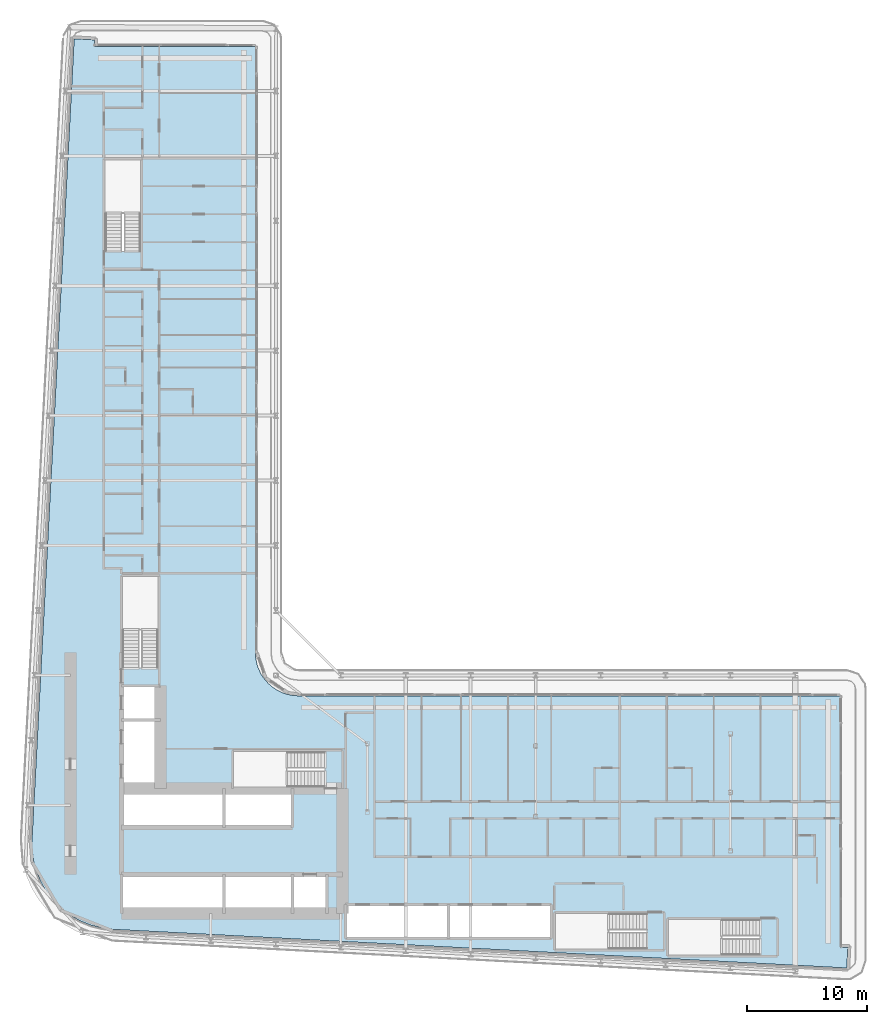
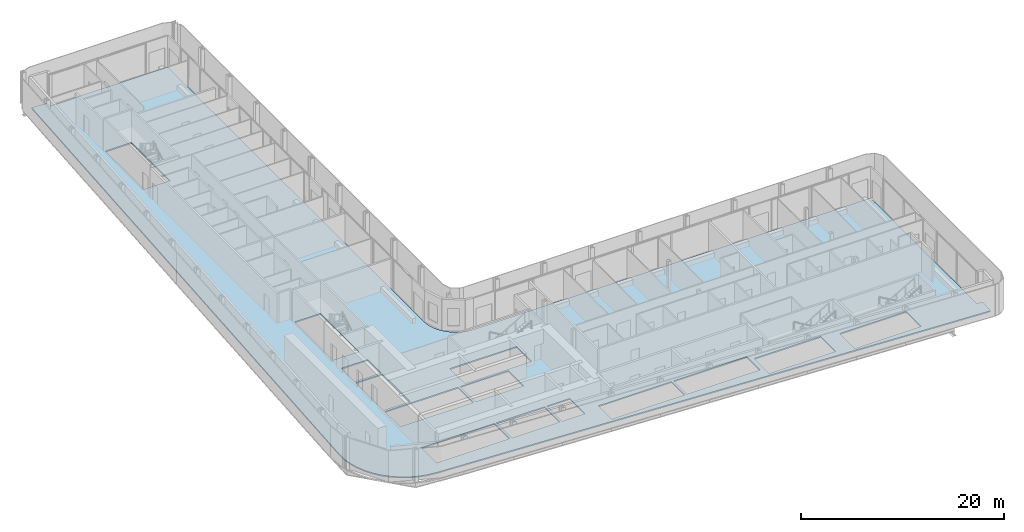
# One storey, part 11 of 27: 1 slab.
"""IFC4 building model written with IfcOpenShell, lengths in metres."""

from ifc_helpers import new_model, si_unit, direction, frame, origin, place, context, subcontext, project, spatial, polyline, outline, extrude, material, layer, layer_set, type_object, element, save


model = new_model("IFC4")

# Units and contexts
model_context = context("Model", 3, precision=1e-05, world=origin(), true_north=direction((0.0, 1.0)))
body_context = subcontext(model_context, "Body", "Model", "MODEL_VIEW")
ifc_project = project(units=[si_unit("LENGTHUNIT", "METRE"), si_unit("AREAUNIT", "SQUARE_METRE"), si_unit("VOLUMEUNIT", "CUBIC_METRE"), si_unit("PLANEANGLEUNIT", "RADIAN"), si_unit("MASSUNIT", "GRAM", prefix="KILO")], contexts=[model_context])

# Site, building, storey
site_placement = place(None, origin())
site = spatial("IfcSite", under=ifc_project, at=site_placement, CompositionType="ELEMENT")
building_placement = place(site_placement, origin())
building = spatial("IfcBuilding", under=site, at=building_placement, Name="Kheshtan School and Residences Tower", CompositionType="ELEMENT")
storey_placement = place(building_placement, frame((0.0, 0.0, 46.10009765625)))
storey = spatial("IfcBuildingStorey", under=building, at=storey_placement, Name="L10", CompositionType="ELEMENT", Elevation=46.10009765625)

# Slab
ifc_material = material(Name="Concrete C40/50", Category="concrete")
ifc_layer = layer(ifc_material, 0.14990234375)
ifc_layer_set = layer_set([ifc_layer], Name="Floor slab 150 Concrete C40/50")
slab_type = type_object("IfcSlabType", Name="Floor slab 150 Concrete C40/50", PredefinedType="FLOOR", material=ifc_layer_set)
slab_placement = place(storey_placement, frame((0.0, 0.0, -0.150146484375)))
element("IfcSlab", 1, at=slab_placement, inside=storey, type_object=slab_type, Name="Floor slab L10", PredefinedType="FLOOR", context=body_context, shape_type="SweptSolid", body=[
    extrude(outline(polyline([(27.718017578125, 29.200927734375), (27.466064453125, 30.093017578125), (27.466064453125, 30.093994140625), (27.3330078125, 31.013916015625), (27.320068359375, 31.965087890625), (27.320068359375, 31.970947265625), (30.822021484375, 98.5009765625), (30.822998046875, 98.508056640625), (30.825927734375, 98.531005859375), (30.825927734375, 98.531982421875), (30.826904296875, 98.531982421875), (31.422119140625, 98.5), (31.423095703125, 98.5), (31.423095703125, 98.4990234375), (31.423095703125, 98.4951171875), (31.423095703125, 98.493896484375), (31.424072265625, 98.493896484375), (31.424072265625, 98.492919921875), (31.425048828125, 98.492919921875), (31.426025390625, 98.492919921875), (31.426025390625, 98.493896484375), (31.427978515625, 98.49609375), (31.428955078125, 98.4970703125), (31.429931640625, 98.498046875), (31.430908203125, 98.498046875), (31.430908203125, 98.4990234375), (31.431884765625, 98.4990234375), (31.431884765625, 98.5), (31.43505859375, 98.5009765625), (31.43603515625, 98.501953125), (31.43896484375, 98.501953125), (31.43994140625, 98.501953125), (31.43994140625, 98.5029296875), (31.44091796875, 98.5029296875), (31.446044921875, 98.5029296875), (32.5009765625, 98.447021484375), (32.50390625, 98.447021484375), (32.5048828125, 98.447021484375), (32.5048828125, 98.446044921875), (32.506103515625, 98.446044921875), (32.510009765625, 98.446044921875), (32.510009765625, 98.445068359375), (32.510986328125, 98.445068359375), (32.510986328125, 98.444091796875), (32.511962890625, 98.444091796875), (32.511962890625, 98.443115234375), (32.512939453125, 98.443115234375), (32.513916015625, 98.443115234375), (32.513916015625, 98.44189453125), (32.514892578125, 98.44189453125), (32.51611328125, 98.44189453125), (32.51904296875, 98.43896484375), (32.51904296875, 98.43798828125), (32.51904296875, 98.43701171875), (32.52001953125, 98.43701171875), (32.52001953125, 98.43603515625), (32.52099609375, 98.43603515625), (32.52099609375, 98.43408203125), (32.52099609375, 98.43310546875), (32.52197265625, 98.43310546875), (32.52197265625, 98.431884765625), (32.52294921875, 98.431884765625), (32.52294921875, 98.430908203125), (32.52294921875, 98.428955078125), (32.52294921875, 98.427978515625), (32.52392578125, 98.427978515625), (32.52392578125, 98.427001953125), (32.52392578125, 98.422119140625), (32.4970703125, 97.9208984375), (32.4970703125, 97.91796875), (32.4970703125, 97.9169921875), (32.49609375, 97.9169921875), (32.49609375, 97.916015625), (32.49609375, 97.912109375), (32.4951171875, 97.910888671875), (32.4951171875, 97.909912109375), (32.493896484375, 97.909912109375), (32.493896484375, 97.908935546875), (32.492919921875, 97.908935546875), (32.492919921875, 97.907958984375), (32.489013671875, 97.904052734375), (32.488037109375, 97.904052734375), (32.488037109375, 97.903076171875), (32.488037109375, 97.902099609375), (32.488037109375, 97.90087890625), (32.489013671875, 97.90087890625), (32.489013671875, 97.89990234375), (32.489990234375, 97.89990234375), (45.85498046875, 97.89990234375), (45.864990234375, 97.89794921875), (45.865966796875, 97.89794921875), (45.868896484375, 97.89599609375), (45.8740234375, 97.89404296875), (45.8779296875, 97.89208984375), (45.881103515625, 97.889892578125), (45.881103515625, 97.888916015625), (45.882080078125, 97.888916015625), (45.882080078125, 97.887939453125), (45.883056640625, 97.887939453125), (45.884033203125, 97.885009765625), (45.885009765625, 97.885009765625), (45.885009765625, 97.884033203125), (45.887939453125, 97.883056640625), (45.887939453125, 97.882080078125), (45.888916015625, 97.882080078125), (45.888916015625, 97.881103515625), (45.889892578125, 97.881103515625), (45.89208984375, 97.8779296875), (45.89404296875, 97.8740234375), (45.89599609375, 97.868896484375), (45.89794921875, 97.865966796875), (45.89794921875, 97.864990234375), (45.89990234375, 97.85498046875), (45.89990234375, 47.429931640625), (45.927001953125, 47.030029296875), (46.01806640625, 46.570068359375), (46.01806640625, 46.569091796875), (46.169921875, 46.1201171875), (46.37890625, 45.697021484375), (46.638916015625, 45.30810546875), (46.949951171875, 44.950927734375), (46.950927734375, 44.949951171875), (47.30810546875, 44.638916015625), (47.697021484375, 44.37890625), (48.1201171875, 44.169921875), (48.569091796875, 44.01806640625), (48.570068359375, 44.01806640625), (49.030029296875, 43.927001953125), (49.429931640625, 43.89990234375), (94.455078125, 43.89990234375), (94.4599609375, 43.89892578125), (94.465087890625, 43.89794921875), (94.466064453125, 43.89794921875), (94.468994140625, 43.89599609375), (94.47412109375, 43.89404296875), (94.47802734375, 43.89208984375), (94.48095703125, 43.889892578125), (94.48095703125, 43.888916015625), (94.48193359375, 43.888916015625), (94.48193359375, 43.887939453125), (94.48291015625, 43.887939453125), (94.48388671875, 43.885009765625), (94.485107421875, 43.885009765625), (94.485107421875, 43.884033203125), (94.488037109375, 43.883056640625), (94.488037109375, 43.882080078125), (94.489013671875, 43.882080078125), (94.489013671875, 43.881103515625), (94.489990234375, 43.881103515625), (94.491943359375, 43.8779296875), (94.493896484375, 43.8740234375), (94.49609375, 43.868896484375), (94.498046875, 43.865966796875), (94.498046875, 43.864990234375), (94.4990234375, 43.860107421875), (94.5, 43.85498046875), (94.5, 22.992919921875), (94.5, 22.991943359375), (94.5009765625, 22.991943359375), (94.5009765625, 22.990966796875), (94.501953125, 22.990966796875), (94.5029296875, 22.990966796875), (94.5029296875, 22.991943359375), (94.5048828125, 22.993896484375), (94.506103515625, 22.9951171875), (94.507080078125, 22.99609375), (94.508056640625, 22.99609375), (94.508056640625, 22.9970703125), (94.509033203125, 22.9970703125), (94.509033203125, 22.998046875), (94.511962890625, 22.9990234375), (94.512939453125, 23.0), (94.51611328125, 23.0), (94.51708984375, 23.0), (94.51708984375, 23.0009765625), (94.51806640625, 23.0009765625), (94.52294921875, 23.0009765625), (95.137939453125, 22.968017578125), (95.14111328125, 22.968017578125), (95.14208984375, 22.968017578125), (95.14208984375, 22.967041015625), (95.14306640625, 22.967041015625), (95.14697265625, 22.967041015625), (95.14697265625, 22.966064453125), (95.14794921875, 22.966064453125), (95.14794921875, 22.965087890625), (95.14892578125, 22.965087890625), (95.14892578125, 22.964111328125), (95.14990234375, 22.964111328125), (95.15087890625, 22.964111328125), (95.15087890625, 22.962890625), (95.152099609375, 22.962890625), (95.153076171875, 22.962890625), (95.153076171875, 22.9619140625), (95.155029296875, 22.9599609375), (95.156005859375, 22.9599609375), (95.156005859375, 22.958984375), (95.156005859375, 22.9580078125), (95.156982421875, 22.9580078125), (95.156982421875, 22.95703125), (95.157958984375, 22.95703125), (95.157958984375, 22.955078125), (95.157958984375, 22.9541015625), (95.158935546875, 22.9541015625), (95.158935546875, 22.952880859375), (95.159912109375, 22.952880859375), (95.159912109375, 22.951904296875), (95.159912109375, 22.949951171875), (95.159912109375, 22.948974609375), (95.160888671875, 22.948974609375), (95.160888671875, 22.947998046875), (95.160888671875, 22.943115234375), (95.10498046875, 21.885986328125), (95.10498046875, 21.883056640625), (95.10498046875, 21.882080078125), (95.10400390625, 21.882080078125), (95.10400390625, 21.881103515625), (95.10400390625, 21.876953125), (95.10302734375, 21.8759765625), (95.10302734375, 21.875), (95.10205078125, 21.875), (95.10205078125, 21.8740234375), (95.10107421875, 21.8740234375), (95.10107421875, 21.873046875), (95.10009765625, 21.8720703125), (95.097900390625, 21.8701171875), (95.096923828125, 21.868896484375), (95.095947265625, 21.868896484375), (95.095947265625, 21.867919921875), (95.095947265625, 21.866943359375), (95.095947265625, 21.865966796875), (95.096923828125, 21.865966796875), (95.096923828125, 21.864990234375), (95.097900390625, 21.864990234375), (95.09912109375, 21.864990234375), (95.10009765625, 21.864990234375), (95.10009765625, 21.864013671875), (95.068115234375, 21.26904296875), (95.068115234375, 21.26806640625), (95.06689453125, 21.26806640625), (95.04296875, 21.26708984375), (95.0380859375, 21.26708984375), (34.056884765625, 24.47802734375), (33.114990234375, 24.590087890625), (32.215087890625, 24.819091796875), (32.214111328125, 24.819091796875), (31.35205078125, 25.1630859375), (30.541015625, 25.616943359375), (29.799072265625, 26.1708984375), (29.799072265625, 26.172119140625), (29.798095703125, 26.172119140625), (29.134033203125, 26.820068359375), (29.134033203125, 26.821044921875), (29.133056640625, 26.821044921875), (28.55908203125, 27.550048828125), (28.0849609375, 28.345947265625), (27.718017578125, 29.200927734375)]), holes=[polyline([(94.5, 21.87109375), (94.5, 21.866943359375), (94.5, 21.865966796875), (94.5009765625, 21.865966796875), (94.5009765625, 21.864990234375), (94.501953125, 21.864990234375), (94.506103515625, 21.864990234375), (94.507080078125, 21.864990234375), (94.507080078125, 21.865966796875), (94.508056640625, 21.865966796875), (94.508056640625, 21.866943359375), (94.508056640625, 21.867919921875), (94.507080078125, 21.867919921875), (94.506103515625, 21.868896484375), (94.5048828125, 21.8701171875), (94.50390625, 21.87109375), (94.5029296875, 21.8720703125), (94.5029296875, 21.873046875), (94.501953125, 21.873046875), (94.5009765625, 21.873046875), (94.5009765625, 21.8720703125), (94.5, 21.8720703125), (94.5, 21.87109375)]), polyline([(31.423095703125, 97.906005859375), (31.423095703125, 97.902099609375), (31.423095703125, 97.90087890625), (31.424072265625, 97.90087890625), (31.424072265625, 97.89990234375), (31.425048828125, 97.89990234375), (31.428955078125, 97.89990234375), (31.429931640625, 97.89990234375), (31.429931640625, 97.90087890625), (31.430908203125, 97.90087890625), (31.430908203125, 97.902099609375), (31.430908203125, 97.903076171875), (31.429931640625, 97.903076171875), (31.428955078125, 97.904052734375), (31.427978515625, 97.905029296875), (31.427001953125, 97.906005859375), (31.426025390625, 97.906982421875), (31.426025390625, 97.907958984375), (31.425048828125, 97.907958984375), (31.424072265625, 97.907958984375), (31.424072265625, 97.906982421875), (31.423095703125, 97.906982421875), (31.423095703125, 97.906005859375)]), polyline([(34.875, 28.925048828125), (34.875, 25.925048828125), (43.175048828125, 25.925048828125), (43.175048828125, 28.925048828125), (34.875, 28.925048828125)]), polyline([(43.425048828125, 25.925048828125), (48.875, 25.925048828125), (48.875, 28.925048828125), (43.425048828125, 28.925048828125), (43.425048828125, 25.925048828125)]), polyline([(43.175048828125, 36.074951171875), (34.875, 36.074951171875), (34.875, 33.074951171875), (43.175048828125, 33.074951171875), (43.175048828125, 36.074951171875)]), polyline([(34.875, 41.77490234375), (34.875, 36.324951171875), (37.875, 36.324951171875), (37.875, 41.77490234375), (34.875, 41.77490234375)]), polyline([(34.875, 44.625), (34.875, 42.02490234375), (37.875, 42.02490234375), (37.875, 44.625), (34.875, 44.625)]), polyline([(37.800048828125, 46.25), (37.800048828125, 53.81005859375), (34.85009765625, 53.81005859375), (34.85009765625, 46.260009765625), (36.25, 46.260009765625), (36.25, 46.25), (37.800048828125, 46.25)]), polyline([(33.39990234375, 88.4599609375), (33.39990234375, 80.909912109375), (34.800048828125, 80.909912109375), (34.800048828125, 80.89990234375), (36.35009765625, 80.89990234375), (36.35009765625, 88.4599609375), (33.39990234375, 88.4599609375)]), polyline([(87.81005859375, 22.35009765625), (87.81005859375, 23.75), (87.820068359375, 23.75), (87.820068359375, 25.300048828125), (80.260009765625, 25.300048828125), (80.260009765625, 22.35009765625), (87.81005859375, 22.35009765625)]), polyline([(70.85009765625, 22.85009765625), (78.39990234375, 22.85009765625), (78.39990234375, 24.25), (78.409912109375, 24.25), (78.409912109375, 25.800048828125), (70.85009765625, 25.800048828125), (70.85009765625, 22.85009765625)]), polyline([(61.824951171875, 26.425048828125), (53.52490234375, 26.425048828125), (53.52490234375, 23.824951171875), (61.824951171875, 23.824951171875), (61.824951171875, 26.425048828125)]), polyline([(62.074951171875, 23.824951171875), (70.375, 23.824951171875), (70.375, 26.425048828125), (62.074951171875, 26.425048828125), (62.074951171875, 23.824951171875)]), polyline([(49.125, 28.925048828125), (49.125, 25.925048828125), (51.72509765625, 25.925048828125), (51.72509765625, 28.925048828125), (49.125, 28.925048828125)]), polyline([(43.425048828125, 33.074951171875), (48.875, 33.074951171875), (48.875, 36.074951171875), (43.425048828125, 36.074951171875), (43.425048828125, 33.074951171875)]), polyline([(51.64990234375, 39.25), (44.090087890625, 39.25), (44.090087890625, 36.300048828125), (51.639892578125, 36.300048828125), (51.639892578125, 37.699951171875), (51.64990234375, 37.699951171875), (51.64990234375, 39.25)])]), origin(), (0.0, 0.0, 1.0), 0.150146484375),
])

save(model, "model.ifc")
